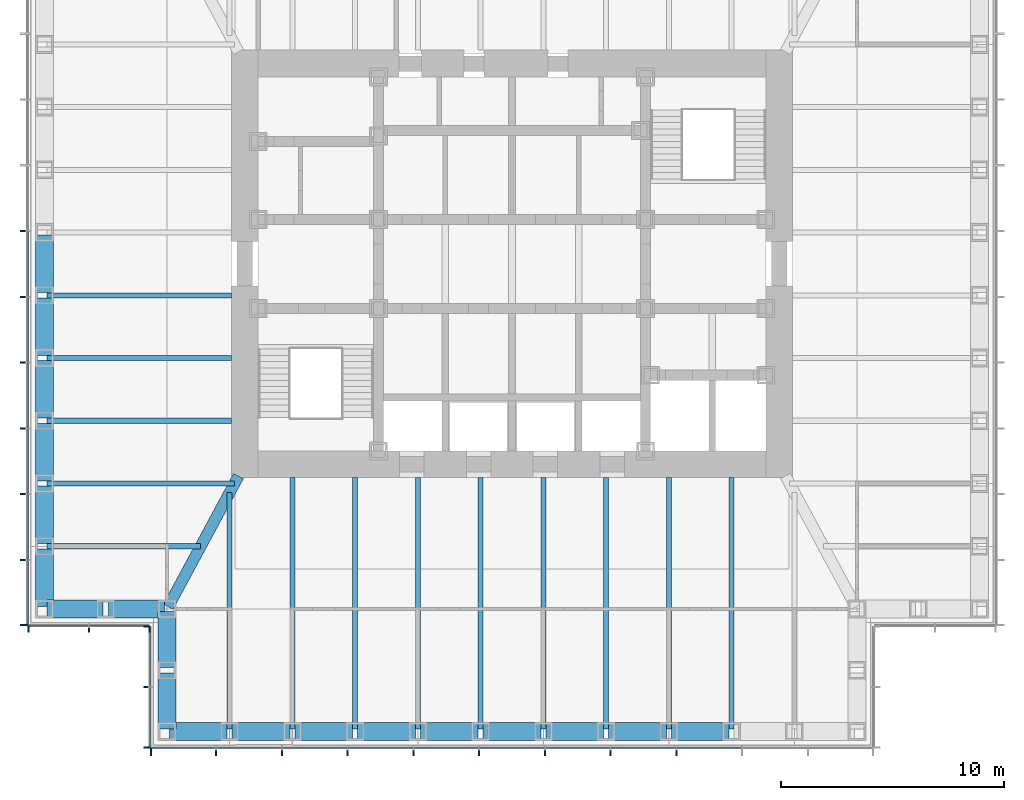
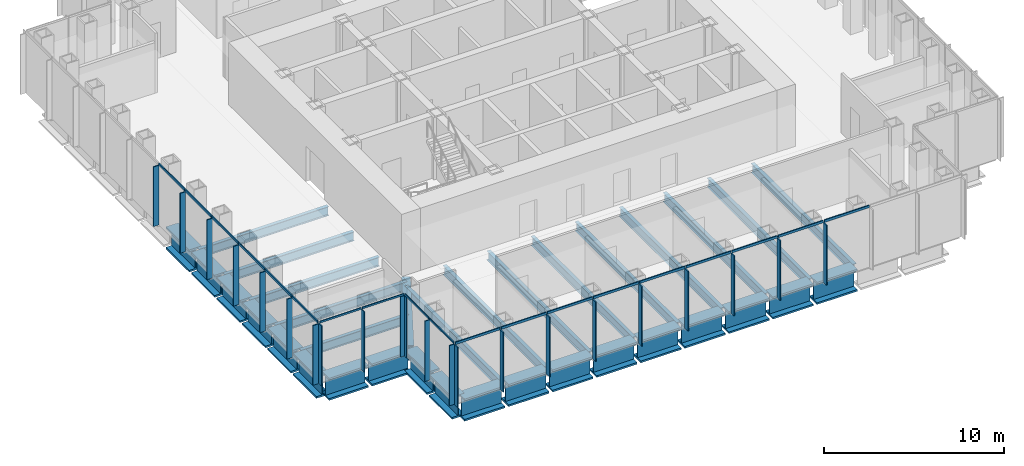
# One storey, part 2 of 16: 41 members, 34 beams, 4 elements without a shape of their own.
"""IFC4 building model written with IfcOpenShell, lengths in metres."""

from ifc_helpers import new_model, si_unit, direction, frame, origin, origin_2d, place, context, subcontext, project, spatial, rectangle, i_section, extrude, material, material_profile, profile_set, type_object, element, aggregate, save


model = new_model("IFC4")

# Units and contexts
model_context = context("Model", 3, precision=1e-05, world=origin(), true_north=direction((0.0, 1.0)))
body_context = subcontext(model_context, "Body", "Model", "MODEL_VIEW")
ifc_project = project(units=[si_unit("LENGTHUNIT", "METRE"), si_unit("AREAUNIT", "SQUARE_METRE"), si_unit("VOLUMEUNIT", "CUBIC_METRE"), si_unit("PLANEANGLEUNIT", "RADIAN"), si_unit("MASSUNIT", "GRAM", prefix="KILO")], contexts=[model_context])

# Site, building, storey
site_placement = place(None, origin())
site = spatial("IfcSite", under=ifc_project, at=site_placement, CompositionType="ELEMENT")
building_placement = place(site_placement, origin())
building = spatial("IfcBuilding", under=site, at=building_placement, Name="Daluyong Arena Tower", CompositionType="ELEMENT")
storey_placement = place(building_placement, frame((0.0, 0.0, 219.10009765625)))
storey = spatial("IfcBuildingStorey", under=building, at=storey_placement, Name="L49", CompositionType="ELEMENT", Elevation=219.10009765625)

# Curtain wall, members
ifc_material_1 = material(Name="Bronze anodised aluminium and glass", Category="aluminium")
curtain_wall_type_1 = type_object("IfcCurtainWallType", Name="Curtain wall CW3", PredefinedType="USERDEFINED", material=ifc_material_1)
curtain_wall_1_placement = place(storey_placement, origin())
curtain_wall_1 = element("IfcCurtainWall", 1, at=curtain_wall_1_placement, inside=storey, type_object=curtain_wall_type_1, Name="curtain wall L49 S", ObjectType="UNITISED CURTAIN WALL", PredefinedType="USERDEFINED")
ifc_material_2 = material(Name="Bronze anodised aluminium fin", Category="aluminium")
ifc_material_profile_1 = material_profile(ifc_material_2, rectangle(XDim=0.35009765625, YDim=0.070068359375, at=origin_2d()))
ifc_profile_set_1 = profile_set([ifc_material_profile_1], Name="Bronze anodised aluminium fin")
member_type_1 = type_object("IfcMemberType", Name="CW3 bronze fin 350x70", PredefinedType="MULLION", material=ifc_profile_set_1)
member_1_placement = place(storey_placement, frame((39.784912109375, 58.074951171875, 0.0), z_axis=(0.0, 0.0, 1.0), x_axis=(0.0, 1.0, 0.0)))
member_1 = element("IfcMember", 2, at=member_1_placement, type_object=member_type_1, Name="curtain wall L49 S fin 1", PredefinedType="MULLION", context=body_context, shape_type="SweptSolid", body=[
    extrude(rectangle(XDim=0.35009765625, YDim=0.070068359375, at=origin_2d()), origin(), (0.0, 0.0, 1.0), 4.039794921875),
])
member_2_placement = place(storey_placement, frame((42.70458984375, 58.074951171875, 0.0), z_axis=(0.0, 0.0, 1.0), x_axis=(0.0, 1.0, 0.0)))
member_2 = element("IfcMember", 3, at=member_2_placement, type_object=member_type_1, Name="curtain wall L49 S fin 2", PredefinedType="MULLION", context=body_context, shape_type="SweptSolid", body=[
    extrude(rectangle(XDim=0.35009765625, YDim=0.070068359375, at=origin_2d()), origin(), (0.0, 0.0, 1.0), 4.039794921875),
])
member_3_placement = place(storey_placement, frame((45.6591796875, 58.074951171875, 0.0), z_axis=(0.0, 0.0, 1.0), x_axis=(0.0, 1.0, 0.0)))
member_3 = element("IfcMember", 4, at=member_3_placement, type_object=member_type_1, Name="curtain wall L49 S fin 3", PredefinedType="MULLION", context=body_context, shape_type="SweptSolid", body=[
    extrude(rectangle(XDim=0.35009765625, YDim=0.070068359375, at=origin_2d()), origin(), (0.0, 0.0, 1.0), 4.039794921875),
])
member_4_placement = place(storey_placement, frame((48.613525390625, 58.074951171875, 0.0), z_axis=(0.0, 0.0, 1.0), x_axis=(0.0, 1.0, 0.0)))
member_4 = element("IfcMember", 5, at=member_4_placement, type_object=member_type_1, Name="curtain wall L49 S fin 4", PredefinedType="MULLION", context=body_context, shape_type="SweptSolid", body=[
    extrude(rectangle(XDim=0.35009765625, YDim=0.070068359375, at=origin_2d()), origin(), (0.0, 0.0, 1.0), 4.039794921875),
])
member_5_placement = place(storey_placement, frame((51.568115234375, 58.074951171875, 0.0), z_axis=(0.0, 0.0, 1.0), x_axis=(0.0, 1.0, 0.0)))
member_5 = element("IfcMember", 6, at=member_5_placement, type_object=member_type_1, Name="curtain wall L49 S fin 5", PredefinedType="MULLION", context=body_context, shape_type="SweptSolid", body=[
    extrude(rectangle(XDim=0.35009765625, YDim=0.070068359375, at=origin_2d()), origin(), (0.0, 0.0, 1.0), 4.039794921875),
])
member_6_placement = place(storey_placement, frame((54.522705078125, 58.074951171875, 0.0), z_axis=(0.0, 0.0, 1.0), x_axis=(0.0, 1.0, 0.0)))
member_6 = element("IfcMember", 7, at=member_6_placement, type_object=member_type_1, Name="curtain wall L49 S fin 6", PredefinedType="MULLION", context=body_context, shape_type="SweptSolid", body=[
    extrude(rectangle(XDim=0.35009765625, YDim=0.070068359375, at=origin_2d()), origin(), (0.0, 0.0, 1.0), 4.039794921875),
])
member_7_placement = place(storey_placement, frame((57.477294921875, 58.074951171875, 0.0), z_axis=(0.0, 0.0, 1.0), x_axis=(0.0, 1.0, 0.0)))
member_7 = element("IfcMember", 8, at=member_7_placement, type_object=member_type_1, Name="curtain wall L49 S fin 7", PredefinedType="MULLION", context=body_context, shape_type="SweptSolid", body=[
    extrude(rectangle(XDim=0.35009765625, YDim=0.070068359375, at=origin_2d()), origin(), (0.0, 0.0, 1.0), 4.039794921875),
])
member_8_placement = place(storey_placement, frame((60.431884765625, 58.074951171875, 0.0), z_axis=(0.0, 0.0, 1.0), x_axis=(0.0, 1.0, 0.0)))
member_8 = element("IfcMember", 9, at=member_8_placement, type_object=member_type_1, Name="curtain wall L49 S fin 8", PredefinedType="MULLION", context=body_context, shape_type="SweptSolid", body=[
    extrude(rectangle(XDim=0.35009765625, YDim=0.070068359375, at=origin_2d()), origin(), (0.0, 0.0, 1.0), 4.039794921875),
])
member_9_placement = place(storey_placement, frame((63.386474609375, 58.074951171875, 0.0), z_axis=(0.0, 0.0, 1.0), x_axis=(0.0, 1.0, 0.0)))
member_9 = element("IfcMember", 10, at=member_9_placement, type_object=member_type_1, Name="curtain wall L49 S fin 9", PredefinedType="MULLION", context=body_context, shape_type="SweptSolid", body=[
    extrude(rectangle(XDim=0.35009765625, YDim=0.070068359375, at=origin_2d()), origin(), (0.0, 0.0, 1.0), 4.039794921875),
])

curtain_wall_2_placement = place(storey_placement, origin())
curtain_wall_2 = element("IfcCurtainWall", 11, at=curtain_wall_2_placement, inside=storey, type_object=curtain_wall_type_1, Name="curtain wall L49 W", ObjectType="UNITISED CURTAIN WALL", PredefinedType="USERDEFINED")
member_10_placement = place(storey_placement, frame((34.074951171875, 81.477294921875, 0.0), z_axis=(0.0, 0.0, 1.0), x_axis=(1.0, 0.0, 0.0)))
member_10 = element("IfcMember", 12, at=member_10_placement, type_object=member_type_1, Name="curtain wall L49 W fin 6", PredefinedType="MULLION", context=body_context, shape_type="SweptSolid", body=[
    extrude(rectangle(XDim=0.35009765625, YDim=0.070068359375, at=origin_2d()), origin(), (0.0, 0.0, 1.0), 4.039794921875),
])
member_11_placement = place(storey_placement, frame((34.074951171875, 78.522705078125, 0.0), z_axis=(0.0, 0.0, 1.0), x_axis=(1.0, 0.0, 0.0)))
member_11 = element("IfcMember", 13, at=member_11_placement, type_object=member_type_1, Name="curtain wall L49 W fin 7", PredefinedType="MULLION", context=body_context, shape_type="SweptSolid", body=[
    extrude(rectangle(XDim=0.35009765625, YDim=0.070068359375, at=origin_2d()), origin(), (0.0, 0.0, 1.0), 4.039794921875),
])
member_12_placement = place(storey_placement, frame((34.074951171875, 75.568115234375, 0.0), z_axis=(0.0, 0.0, 1.0), x_axis=(1.0, 0.0, 0.0)))
member_12 = element("IfcMember", 14, at=member_12_placement, type_object=member_type_1, Name="curtain wall L49 W fin 8", PredefinedType="MULLION", context=body_context, shape_type="SweptSolid", body=[
    extrude(rectangle(XDim=0.35009765625, YDim=0.070068359375, at=origin_2d()), origin(), (0.0, 0.0, 1.0), 4.039794921875),
])
member_13_placement = place(storey_placement, frame((34.074951171875, 72.613525390625, 0.0), z_axis=(0.0, 0.0, 1.0), x_axis=(1.0, 0.0, 0.0)))
member_13 = element("IfcMember", 15, at=member_13_placement, type_object=member_type_1, Name="curtain wall L49 W fin 9", PredefinedType="MULLION", context=body_context, shape_type="SweptSolid", body=[
    extrude(rectangle(XDim=0.35009765625, YDim=0.070068359375, at=origin_2d()), origin(), (0.0, 0.0, 1.0), 4.039794921875),
])
member_14_placement = place(storey_placement, frame((34.074951171875, 69.6591796875, 0.0), z_axis=(0.0, 0.0, 1.0), x_axis=(1.0, 0.0, 0.0)))
member_14 = element("IfcMember", 16, at=member_14_placement, type_object=member_type_1, Name="curtain wall L49 W fin 10", PredefinedType="MULLION", context=body_context, shape_type="SweptSolid", body=[
    extrude(rectangle(XDim=0.35009765625, YDim=0.070068359375, at=origin_2d()), origin(), (0.0, 0.0, 1.0), 4.039794921875),
])
member_15_placement = place(storey_placement, frame((34.074951171875, 66.70458984375, 0.0), z_axis=(0.0, 0.0, 1.0), x_axis=(1.0, 0.0, 0.0)))
member_15 = element("IfcMember", 17, at=member_15_placement, type_object=member_type_1, Name="curtain wall L49 W fin 11", PredefinedType="MULLION", context=body_context, shape_type="SweptSolid", body=[
    extrude(rectangle(XDim=0.35009765625, YDim=0.070068359375, at=origin_2d()), origin(), (0.0, 0.0, 1.0), 4.039794921875),
])
member_16_placement = place(storey_placement, frame((34.074951171875, 63.784912109375, 0.0), z_axis=(0.0, 0.0, 1.0), x_axis=(1.0, 0.0, 0.0)))
member_16 = element("IfcMember", 18, at=member_16_placement, type_object=member_type_1, Name="curtain wall L49 W fin 12", PredefinedType="MULLION", context=body_context, shape_type="SweptSolid", body=[
    extrude(rectangle(XDim=0.35009765625, YDim=0.070068359375, at=origin_2d()), origin(), (0.0, 0.0, 1.0), 4.039794921875),
])

# Member
ifc_material_3 = material(Name="Bronze anodised aluminium", Category="aluminium")
ifc_material_profile_2 = material_profile(ifc_material_3, rectangle(XDim=0.070068359375, YDim=0.159912109375, at=origin_2d()))
ifc_profile_set_2 = profile_set([ifc_material_profile_2], Name="Bronze anodised aluminium")
member_type_2 = type_object("IfcMemberType", Name="CW3 stack transom 160x70", PredefinedType="USERDEFINED", material=ifc_profile_set_2)
member_17_placement = place(storey_placement, frame((39.820068359375, 58.25, 4.119873046875), z_axis=(1.0, 0.0, 0.0), x_axis=(0.0, 1.0, 0.0)))
member_17 = element("IfcMember", 19, at=member_17_placement, type_object=member_type_2, Name="curtain wall L49 S transom 1", ObjectType="TRANSOM", PredefinedType="USERDEFINED", context=body_context, shape_type="SweptSolid", body=[
    extrude(rectangle(XDim=0.070068359375, YDim=0.159912109375, at=origin_2d()), origin(), (0.0, 0.0, 1.0), 2.849365234375),
])

member_18_placement = place(storey_placement, frame((42.739501953125, 58.25, 4.119873046875), z_axis=(1.0, 0.0, 0.0), x_axis=(0.0, 1.0, 0.0)))
member_18 = element("IfcMember", 20, at=member_18_placement, type_object=member_type_2, Name="curtain wall L49 S transom 2", ObjectType="TRANSOM", PredefinedType="USERDEFINED", context=body_context, shape_type="SweptSolid", body=[
    extrude(rectangle(XDim=0.070068359375, YDim=0.159912109375, at=origin_2d()), origin(), (0.0, 0.0, 1.0), 2.884521484375),
])

member_19_placement = place(storey_placement, frame((45.694091796875, 58.25, 4.119873046875), z_axis=(1.0, 0.0, 0.0), x_axis=(0.0, 1.0, 0.0)))
member_19 = element("IfcMember", 21, at=member_19_placement, type_object=member_type_2, Name="curtain wall L49 S transom 3", ObjectType="TRANSOM", PredefinedType="USERDEFINED", context=body_context, shape_type="SweptSolid", body=[
    extrude(rectangle(XDim=0.070068359375, YDim=0.159912109375, at=origin_2d()), origin(), (0.0, 0.0, 1.0), 2.884521484375),
])

member_20_placement = place(storey_placement, frame((48.648681640625, 58.25, 4.119873046875), z_axis=(1.0, 0.0, 0.0), x_axis=(0.0, 1.0, 0.0)))
member_20 = element("IfcMember", 22, at=member_20_placement, type_object=member_type_2, Name="curtain wall L49 S transom 4", ObjectType="TRANSOM", PredefinedType="USERDEFINED", context=body_context, shape_type="SweptSolid", body=[
    extrude(rectangle(XDim=0.070068359375, YDim=0.159912109375, at=origin_2d()), origin(), (0.0, 0.0, 1.0), 2.884521484375),
])

member_21_placement = place(storey_placement, frame((51.603271484375, 58.25, 4.119873046875), z_axis=(1.0, 0.0, 0.0), x_axis=(0.0, 1.0, 0.0)))
member_21 = element("IfcMember", 23, at=member_21_placement, type_object=member_type_2, Name="curtain wall L49 S transom 5", ObjectType="TRANSOM", PredefinedType="USERDEFINED", context=body_context, shape_type="SweptSolid", body=[
    extrude(rectangle(XDim=0.070068359375, YDim=0.159912109375, at=origin_2d()), origin(), (0.0, 0.0, 1.0), 2.884521484375),
])

member_22_placement = place(storey_placement, frame((54.5576171875, 58.25, 4.119873046875), z_axis=(1.0, 0.0, 0.0), x_axis=(0.0, 1.0, 0.0)))
member_22 = element("IfcMember", 24, at=member_22_placement, type_object=member_type_2, Name="curtain wall L49 S transom 6", ObjectType="TRANSOM", PredefinedType="USERDEFINED", context=body_context, shape_type="SweptSolid", body=[
    extrude(rectangle(XDim=0.070068359375, YDim=0.159912109375, at=origin_2d()), origin(), (0.0, 0.0, 1.0), 2.884765625),
])

member_23_placement = place(storey_placement, frame((57.51220703125, 58.25, 4.119873046875), z_axis=(1.0, 0.0, 0.0), x_axis=(0.0, 1.0, 0.0)))
member_23 = element("IfcMember", 25, at=member_23_placement, type_object=member_type_2, Name="curtain wall L49 S transom 7", ObjectType="TRANSOM", PredefinedType="USERDEFINED", context=body_context, shape_type="SweptSolid", body=[
    extrude(rectangle(XDim=0.070068359375, YDim=0.159912109375, at=origin_2d()), origin(), (0.0, 0.0, 1.0), 2.884521484375),
])

member_24_placement = place(storey_placement, frame((60.466796875, 58.25, 4.119873046875), z_axis=(1.0, 0.0, 0.0), x_axis=(0.0, 1.0, 0.0)))
member_24 = element("IfcMember", 26, at=member_24_placement, type_object=member_type_2, Name="curtain wall L49 S transom 8", ObjectType="TRANSOM", PredefinedType="USERDEFINED", context=body_context, shape_type="SweptSolid", body=[
    extrude(rectangle(XDim=0.070068359375, YDim=0.159912109375, at=origin_2d()), origin(), (0.0, 0.0, 1.0), 2.884521484375),
])

member_25_placement = place(storey_placement, frame((63.42138671875, 58.25, 4.119873046875), z_axis=(1.0, 0.0, 0.0), x_axis=(0.0, 1.0, 0.0)))
member_25 = element("IfcMember", 27, at=member_25_placement, type_object=member_type_2, Name="curtain wall L49 S transom 9", ObjectType="TRANSOM", PredefinedType="USERDEFINED", context=body_context, shape_type="SweptSolid", body=[
    extrude(rectangle(XDim=0.070068359375, YDim=0.159912109375, at=origin_2d()), origin(), (0.0, 0.0, 1.0), 2.884521484375),
])

aggregate(curtain_wall_1, [member_1, member_2, member_3, member_4, member_5, member_6, member_7, member_8, member_9, member_17, member_18, member_19, member_20, member_21, member_22, member_23, member_24, member_25])

member_26_placement = place(storey_placement, frame((34.25, 81.4423828125, 4.119873046875), z_axis=(0.0, -1.0, 0.0), x_axis=(1.0, 0.0, 0.0)))
member_26 = element("IfcMember", 28, at=member_26_placement, type_object=member_type_2, Name="curtain wall L49 W transom 6", ObjectType="TRANSOM", PredefinedType="USERDEFINED", context=body_context, shape_type="SweptSolid", body=[
    extrude(rectangle(XDim=0.070068359375, YDim=0.159912109375, at=origin_2d()), origin(), (0.0, 0.0, 1.0), 2.884765625),
])

member_27_placement = place(storey_placement, frame((34.25, 78.48779296875, 4.119873046875), z_axis=(0.0, -1.0, 0.0), x_axis=(1.0, 0.0, 0.0)))
member_27 = element("IfcMember", 29, at=member_27_placement, type_object=member_type_2, Name="curtain wall L49 W transom 7", ObjectType="TRANSOM", PredefinedType="USERDEFINED", context=body_context, shape_type="SweptSolid", body=[
    extrude(rectangle(XDim=0.070068359375, YDim=0.159912109375, at=origin_2d()), origin(), (0.0, 0.0, 1.0), 2.884521484375),
])

member_28_placement = place(storey_placement, frame((34.25, 75.533203125, 4.119873046875), z_axis=(0.0, -1.0, 0.0), x_axis=(1.0, 0.0, 0.0)))
member_28 = element("IfcMember", 30, at=member_28_placement, type_object=member_type_2, Name="curtain wall L49 W transom 8", ObjectType="TRANSOM", PredefinedType="USERDEFINED", context=body_context, shape_type="SweptSolid", body=[
    extrude(rectangle(XDim=0.070068359375, YDim=0.159912109375, at=origin_2d()), origin(), (0.0, 0.0, 1.0), 2.884521484375),
])

member_29_placement = place(storey_placement, frame((34.25, 72.57861328125, 4.119873046875), z_axis=(0.0, -1.0, 0.0), x_axis=(1.0, 0.0, 0.0)))
member_29 = element("IfcMember", 31, at=member_29_placement, type_object=member_type_2, Name="curtain wall L49 W transom 9", ObjectType="TRANSOM", PredefinedType="USERDEFINED", context=body_context, shape_type="SweptSolid", body=[
    extrude(rectangle(XDim=0.070068359375, YDim=0.159912109375, at=origin_2d()), origin(), (0.0, 0.0, 1.0), 2.884521484375),
])

member_30_placement = place(storey_placement, frame((34.25, 69.6240234375, 4.119873046875), z_axis=(0.0, -1.0, 0.0), x_axis=(1.0, 0.0, 0.0)))
member_30 = element("IfcMember", 32, at=member_30_placement, type_object=member_type_2, Name="curtain wall L49 W transom 10", ObjectType="TRANSOM", PredefinedType="USERDEFINED", context=body_context, shape_type="SweptSolid", body=[
    extrude(rectangle(XDim=0.070068359375, YDim=0.159912109375, at=origin_2d()), origin(), (0.0, 0.0, 1.0), 2.884521484375),
])

member_31_placement = place(storey_placement, frame((34.25, 66.66943359375, 4.119873046875), z_axis=(0.0, -1.0, 0.0), x_axis=(1.0, 0.0, 0.0)))
member_31 = element("IfcMember", 33, at=member_31_placement, type_object=member_type_2, Name="curtain wall L49 W transom 11", ObjectType="TRANSOM", PredefinedType="USERDEFINED", context=body_context, shape_type="SweptSolid", body=[
    extrude(rectangle(XDim=0.070068359375, YDim=0.159912109375, at=origin_2d()), origin(), (0.0, 0.0, 1.0), 2.849365234375),
])

aggregate(curtain_wall_2, [member_10, member_11, member_12, member_13, member_14, member_15, member_16, member_26, member_27, member_28, member_29, member_30, member_31])

# Curtain wall, members
ifc_material_4 = material(Name="Bronze anodised aluminium and glass", Category="aluminium")
curtain_wall_type_2 = type_object("IfcCurtainWallType", Name="Curtain wall CW7", PredefinedType="USERDEFINED", material=ifc_material_4)
curtain_wall_3_placement = place(storey_placement, origin())
curtain_wall_3 = element("IfcCurtainWall", 34, at=curtain_wall_3_placement, inside=storey, type_object=curtain_wall_type_2, Name="curtain wall L49 SW-S", ObjectType="UNITISED CURTAIN WALL", PredefinedType="USERDEFINED")
ifc_material_5 = material(Name="Bronze anodised aluminium fin", Category="aluminium")
ifc_material_profile_3 = material_profile(ifc_material_5, rectangle(XDim=0.300048828125, YDim=0.06005859375, at=origin_2d()))
ifc_profile_set_3 = profile_set([ifc_material_profile_3], Name="Bronze anodised aluminium fin")
member_type_3 = type_object("IfcMemberType", Name="CW7 bronze fin 300x60", PredefinedType="MULLION", material=ifc_profile_set_3)
member_32_placement = place(storey_placement, frame((34.280029296875, 63.60009765625, 0.0), z_axis=(0.0, 0.0, 1.0), x_axis=(0.0, 1.0, 0.0)))
member_32 = element("IfcMember", 35, at=member_32_placement, type_object=member_type_3, Name="curtain wall L49 SW-S fin 1", PredefinedType="MULLION", context=body_context, shape_type="SweptSolid", body=[
    extrude(rectangle(XDim=0.300048828125, YDim=0.06005859375, at=origin_2d()), origin(), (0.0, 0.0, 1.0), 4.079833984375),
])
member_33_placement = place(storey_placement, frame((37.0, 63.60009765625, 0.0), z_axis=(0.0, 0.0, 1.0), x_axis=(0.0, 1.0, 0.0)))
member_33 = element("IfcMember", 36, at=member_33_placement, type_object=member_type_3, Name="curtain wall L49 SW-S fin 2", PredefinedType="MULLION", context=body_context, shape_type="SweptSolid", body=[
    extrude(rectangle(XDim=0.300048828125, YDim=0.06005859375, at=origin_2d()), origin(), (0.0, 0.0, 1.0), 4.079833984375),
])
member_34_placement = place(storey_placement, frame((39.719970703125, 63.60009765625, 0.0), z_axis=(0.0, 0.0, 1.0), x_axis=(0.0, 1.0, 0.0)))
member_34 = element("IfcMember", 37, at=member_34_placement, type_object=member_type_3, Name="curtain wall L49 SW-S fin 3", PredefinedType="MULLION", context=body_context, shape_type="SweptSolid", body=[
    extrude(rectangle(XDim=0.300048828125, YDim=0.06005859375, at=origin_2d()), origin(), (0.0, 0.0, 1.0), 4.079833984375),
])

curtain_wall_4_placement = place(storey_placement, origin())
curtain_wall_4 = element("IfcCurtainWall", 38, at=curtain_wall_4_placement, inside=storey, type_object=curtain_wall_type_2, Name="curtain wall L49 SW-W", ObjectType="UNITISED CURTAIN WALL", PredefinedType="USERDEFINED")
member_35_placement = place(storey_placement, frame((39.60009765625, 63.719970703125, 0.0), z_axis=(0.0, 0.0, 1.0), x_axis=(1.0, 0.0, 0.0)))
member_35 = element("IfcMember", 39, at=member_35_placement, type_object=member_type_3, Name="curtain wall L49 SW-W fin 1", PredefinedType="MULLION", context=body_context, shape_type="SweptSolid", body=[
    extrude(rectangle(XDim=0.300048828125, YDim=0.06005859375, at=origin_2d()), origin(), (0.0, 0.0, 1.0), 4.079833984375),
])
member_36_placement = place(storey_placement, frame((39.60009765625, 61.0, 0.0), z_axis=(0.0, 0.0, 1.0), x_axis=(1.0, 0.0, 0.0)))
member_36 = element("IfcMember", 40, at=member_36_placement, type_object=member_type_3, Name="curtain wall L49 SW-W fin 2", PredefinedType="MULLION", context=body_context, shape_type="SweptSolid", body=[
    extrude(rectangle(XDim=0.300048828125, YDim=0.06005859375, at=origin_2d()), origin(), (0.0, 0.0, 1.0), 4.079833984375),
])
member_37_placement = place(storey_placement, frame((39.60009765625, 58.280029296875, 0.0), z_axis=(0.0, 0.0, 1.0), x_axis=(1.0, 0.0, 0.0)))
member_37 = element("IfcMember", 41, at=member_37_placement, type_object=member_type_3, Name="curtain wall L49 SW-W fin 3", PredefinedType="MULLION", context=body_context, shape_type="SweptSolid", body=[
    extrude(rectangle(XDim=0.300048828125, YDim=0.06005859375, at=origin_2d()), origin(), (0.0, 0.0, 1.0), 4.079833984375),
])

# Member
ifc_material_6 = material(Name="Bronze anodised aluminium", Category="aluminium")
ifc_material_profile_4 = material_profile(ifc_material_6, rectangle(XDim=0.06005859375, YDim=0.1201171875, at=origin_2d()))
ifc_profile_set_4 = profile_set([ifc_material_profile_4], Name="Bronze anodised aluminium")
member_type_4 = type_object("IfcMemberType", Name="CW7 stack transom 120x60", PredefinedType="USERDEFINED", material=ifc_profile_set_4)
member_38_placement = place(storey_placement, frame((34.31005859375, 63.75, 4.139892578125), z_axis=(1.0, 0.0, 0.0), x_axis=(0.0, 1.0, 0.0)))
member_38 = element("IfcMember", 42, at=member_38_placement, type_object=member_type_4, Name="curtain wall L49 SW-S transom 1", ObjectType="TRANSOM", PredefinedType="USERDEFINED", context=body_context, shape_type="SweptSolid", body=[
    extrude(rectangle(XDim=0.06005859375, YDim=0.1201171875, at=origin_2d()), origin(), (0.0, 0.0, 1.0), 2.659912109375),
])

member_39_placement = place(storey_placement, frame((37.030029296875, 63.75, 4.139892578125), z_axis=(1.0, 0.0, 0.0), x_axis=(0.0, 1.0, 0.0)))
member_39 = element("IfcMember", 43, at=member_39_placement, type_object=member_type_4, Name="curtain wall L49 SW-S transom 2", ObjectType="TRANSOM", PredefinedType="USERDEFINED", context=body_context, shape_type="SweptSolid", body=[
    extrude(rectangle(XDim=0.06005859375, YDim=0.1201171875, at=origin_2d()), origin(), (0.0, 0.0, 1.0), 2.659912109375),
])

aggregate(curtain_wall_3, [member_32, member_33, member_34, member_38, member_39])

member_40_placement = place(storey_placement, frame((39.75, 63.68994140625, 4.139892578125), z_axis=(0.0, -1.0, 0.0), x_axis=(1.0, 0.0, 0.0)))
member_40 = element("IfcMember", 44, at=member_40_placement, type_object=member_type_4, Name="curtain wall L49 SW-W transom 1", ObjectType="TRANSOM", PredefinedType="USERDEFINED", context=body_context, shape_type="SweptSolid", body=[
    extrude(rectangle(XDim=0.06005859375, YDim=0.1201171875, at=origin_2d()), origin(), (0.0, 0.0, 1.0), 2.659912109375),
])

member_41_placement = place(storey_placement, frame((39.75, 60.969970703125, 4.139892578125), z_axis=(0.0, -1.0, 0.0), x_axis=(1.0, 0.0, 0.0)))
member_41 = element("IfcMember", 45, at=member_41_placement, type_object=member_type_4, Name="curtain wall L49 SW-W transom 2", ObjectType="TRANSOM", PredefinedType="USERDEFINED", context=body_context, shape_type="SweptSolid", body=[
    extrude(rectangle(XDim=0.06005859375, YDim=0.1201171875, at=origin_2d()), origin(), (0.0, 0.0, 1.0), 2.659912109375),
])

aggregate(curtain_wall_4, [member_35, member_36, member_37, member_40, member_41])

# Beams
ifc_material_7 = material(Name="Steel ASTM A572 Grade 50", Category="steel")
ifc_material_profile_5 = material_profile(ifc_material_7, i_section(OverallWidth=0.5, OverallDepth=1.0, WebThickness=0.03, FlangeThickness=0.06, at=origin_2d()))
ifc_profile_set_5 = profile_set([ifc_material_profile_5], Name="Steel ASTM A572 Grade 50")
beam_type_1 = type_object("IfcBeamType", Name="Corner girder TB1000X500", PredefinedType="BEAM", material=ifc_profile_set_5)
beam_1_placement = place(storey_placement, frame((40.554443359375, 64.601318359375, -0.66015625), z_axis=(0.474119475266, 0.880460517669, 0.0), x_axis=(-0.880460517669, 0.474119475266, 0.0)))
element("IfcBeam", 46, at=beam_1_placement, inside=storey, type_object=beam_type_1, Name="corner girder DG2", PredefinedType="BEAM", context=body_context, shape_type="SweptSolid", body=[
    extrude(i_section(OverallWidth=0.5, OverallDepth=1.0, WebThickness=0.03, FlangeThickness=0.06, at=origin_2d()), origin(), (0.0, 0.0, 1.0), 6.66748046875),
])
ifc_material_8 = material(Name="Steel ASTM A992 Grade 50", Category="steel")
ifc_material_profile_6 = material_profile(ifc_material_8, i_section(OverallWidth=0.22900390625, OverallDepth=0.612060546875, WebThickness=0.011962890625, FlangeThickness=0.01953125, at=origin_2d()))
ifc_profile_set_6 = profile_set([ifc_material_profile_6], Name="Steel ASTM A992 Grade 50")
beam_type_2 = type_object("IfcBeamType", Name="Floor beam W24X84", PredefinedType="BEAM", material=ifc_profile_set_6)
beam_2_placement = place(storey_placement, frame((43.318115234375, 59.114990234375, -0.466064453125), z_axis=(0.0, 1.0, 0.0), x_axis=(-1.0, 0.0, 0.0)))
element("IfcBeam", 47, at=beam_2_placement, inside=storey, type_object=beam_type_2, Name="floor beam FB3", PredefinedType="BEAM", context=body_context, shape_type="SweptSolid", body=[
    extrude(i_section(OverallWidth=0.22900390625, OverallDepth=0.612060546875, WebThickness=0.011962890625, FlangeThickness=0.01953125, at=origin_2d()), origin(), (0.0, 0.0, 1.0), 10.618896484375),
])
for number, where, z_axis, x_axis, name in (
    (48, (46.136474609375, 59.114990234375, -0.466064453125), (0.0, 1.0, 0.0), (-1.0, 0.0, 0.0), "floor beam FB3"),
    (49, (48.95458984375, 59.114990234375, -0.466064453125), (0.0, 1.0, 0.0), (-1.0, 0.0, 0.0), "floor beam FB3"),
    (50, (51.772705078125, 59.114990234375, -0.466064453125), (0.0, 1.0, 0.0), (-1.0, 0.0, 0.0), "floor beam FB3"),
    (51, (54.5908203125, 59.114990234375, -0.466064453125), (0.0, 1.0, 0.0), (-1.0, 0.0, 0.0), "floor beam FB3"),
    (52, (57.4091796875, 59.114990234375, -0.466064453125), (0.0, 1.0, 0.0), (-1.0, 0.0, 0.0), "floor beam FB3"),
    (53, (60.227294921875, 59.114990234375, -0.466064453125), (0.0, 1.0, 0.0), (-1.0, 0.0, 0.0), "floor beam FB3"),
    (54, (63.04541015625, 59.114990234375, -0.466064453125), (0.0, 1.0, 0.0), (-1.0, 0.0, 0.0), "floor beam FB3"),
    (55, (65.863525390625, 59.114990234375, -0.466064453125), (0.0, 1.0, 0.0), (-1.0, 0.0, 0.0), "floor beam FB3"),
):
    element("IfcBeam", number, at=place(storey_placement, frame(where, z_axis=z_axis, x_axis=x_axis)), inside=storey, type_object=beam_type_2, Name=name, PredefinedType="BEAM", context=body_context, shape_type="SweptSolid", body=[
        extrude(i_section(OverallWidth=0.22900390625, OverallDepth=0.612060546875, WebThickness=0.011962890625, FlangeThickness=0.01953125, at=origin_2d()), origin(), (0.0, 0.0, 1.0), 11.284912109375),
    ])
for number, where, z_axis, x_axis, name in (
    (56, (35.114990234375, 78.5908203125, -0.466064453125), (1.0, 0.0, 0.0), (0.0, 1.0, 0.0), "floor beam FB3"),
    (57, (35.114990234375, 75.772705078125, -0.466064453125), (1.0, 0.0, 0.0), (0.0, 1.0, 0.0), "floor beam FB3"),
    (58, (35.114990234375, 72.95458984375, -0.466064453125), (1.0, 0.0, 0.0), (0.0, 1.0, 0.0), "floor beam FB3"),
):
    element("IfcBeam", number, at=place(storey_placement, frame(where, z_axis=z_axis, x_axis=x_axis)), inside=storey, type_object=beam_type_2, Name=name, PredefinedType="BEAM", context=body_context, shape_type="SweptSolid", body=[
        extrude(i_section(OverallWidth=0.22900390625, OverallDepth=0.612060546875, WebThickness=0.011962890625, FlangeThickness=0.01953125, at=origin_2d()), origin(), (0.0, 0.0, 1.0), 8.284912109375),
    ])
beam_3_placement = place(storey_placement, frame((35.114990234375, 70.136474609375, -0.466064453125), z_axis=(1.0, 0.0, 0.0), x_axis=(0.0, 1.0, 0.0)))
element("IfcBeam", 59, at=beam_3_placement, inside=storey, type_object=beam_type_2, Name="floor beam FB3", PredefinedType="BEAM", context=body_context, shape_type="SweptSolid", body=[
    extrude(i_section(OverallWidth=0.22900390625, OverallDepth=0.612060546875, WebThickness=0.011962890625, FlangeThickness=0.01953125, at=origin_2d()), origin(), (0.0, 0.0, 1.0), 8.419921875),
])
beam_4_placement = place(storey_placement, frame((35.114990234375, 67.318115234375, -0.466064453125), z_axis=(1.0, 0.0, 0.0), x_axis=(0.0, 1.0, 0.0)))
element("IfcBeam", 60, at=beam_4_placement, inside=storey, type_object=beam_type_2, Name="floor beam FB3", PredefinedType="BEAM", context=body_context, shape_type="SweptSolid", body=[
    extrude(i_section(OverallWidth=0.22900390625, OverallDepth=0.612060546875, WebThickness=0.011962890625, FlangeThickness=0.01953125, at=origin_2d()), origin(), (0.0, 0.0, 1.0), 6.902587890625),
])
ifc_material_9 = material(Name="Steel ASTM A588 Grade 50", Category="steel")
ifc_material_profile_7 = material_profile(ifc_material_9, i_section(OverallWidth=0.800048828125, OverallDepth=1.5, WebThickness=0.05, FlangeThickness=0.12, at=origin_2d()))
ifc_profile_set_7 = profile_set([ifc_material_profile_7], Name="Steel ASTM A588 Grade 50")
beam_type_3 = type_object("IfcBeamType", Name="Spandrel Z3 PG1500X800", PredefinedType="SPANDREL", material=ifc_profile_set_7)
beam_5_placement = place(storey_placement, frame((40.614990234375, 59.0, -0.91015625), z_axis=(1.0, 0.0, 0.0), x_axis=(0.0, 1.0, 0.0)))
element("IfcBeam", 61, at=beam_5_placement, inside=storey, type_object=beam_type_3, Name="spandrel z3 SB7", PredefinedType="SPANDREL", context=body_context, shape_type="SweptSolid", body=[
    extrude(i_section(OverallWidth=0.800048828125, OverallDepth=1.5, WebThickness=0.05, FlangeThickness=0.12, at=origin_2d()), origin(), (0.0, 0.0, 1.0), 2.588134765625),
])
beam_6_placement = place(storey_placement, frame((43.43310546875, 59.0, -0.91015625), z_axis=(1.0, 0.0, 0.0), x_axis=(0.0, 1.0, 0.0)))
element("IfcBeam", 62, at=beam_6_placement, inside=storey, type_object=beam_type_3, Name="spandrel z3 SB7", PredefinedType="SPANDREL", context=body_context, shape_type="SweptSolid", body=[
    extrude(i_section(OverallWidth=0.800048828125, OverallDepth=1.5, WebThickness=0.05, FlangeThickness=0.12, at=origin_2d()), origin(), (0.0, 0.0, 1.0), 2.58837890625),
])
for number, where, z_axis, x_axis, name in (
    (63, (46.25146484375, 59.0, -0.91015625), (1.0, 0.0, 0.0), (0.0, 1.0, 0.0), "spandrel z3 SB7"),
    (64, (49.069580078125, 59.0, -0.91015625), (1.0, 0.0, 0.0), (0.0, 1.0, 0.0), "spandrel z3 SB7"),
    (65, (51.8876953125, 59.0, -0.91015625), (1.0, 0.0, 0.0), (0.0, 1.0, 0.0), "spandrel z3 SB7"),
):
    element("IfcBeam", number, at=place(storey_placement, frame(where, z_axis=z_axis, x_axis=x_axis)), inside=storey, type_object=beam_type_3, Name=name, PredefinedType="SPANDREL", context=body_context, shape_type="SweptSolid", body=[
        extrude(i_section(OverallWidth=0.800048828125, OverallDepth=1.5, WebThickness=0.05, FlangeThickness=0.12, at=origin_2d()), origin(), (0.0, 0.0, 1.0), 2.588134765625),
    ])
beam_7_placement = place(storey_placement, frame((54.705810546875, 59.0, -0.91015625), z_axis=(1.0, 0.0, 0.0), x_axis=(0.0, 1.0, 0.0)))
element("IfcBeam", 66, at=beam_7_placement, inside=storey, type_object=beam_type_3, Name="spandrel z3 SB7", PredefinedType="SPANDREL", context=body_context, shape_type="SweptSolid", body=[
    extrude(i_section(OverallWidth=0.800048828125, OverallDepth=1.5, WebThickness=0.05, FlangeThickness=0.12, at=origin_2d()), origin(), (0.0, 0.0, 1.0), 2.58837890625),
])
for number, where, z_axis, x_axis, name in (
    (67, (57.524169921875, 59.0, -0.91015625), (1.0, 0.0, 0.0), (0.0, 1.0, 0.0), "spandrel z3 SB7"),
    (68, (60.34228515625, 59.0, -0.91015625), (1.0, 0.0, 0.0), (0.0, 1.0, 0.0), "spandrel z3 SB7"),
    (69, (63.160400390625, 59.0, -0.91015625), (1.0, 0.0, 0.0), (0.0, 1.0, 0.0), "spandrel z3 SB7"),
):
    element("IfcBeam", number, at=place(storey_placement, frame(where, z_axis=z_axis, x_axis=x_axis)), inside=storey, type_object=beam_type_3, Name=name, PredefinedType="SPANDREL", context=body_context, shape_type="SweptSolid", body=[
        extrude(i_section(OverallWidth=0.800048828125, OverallDepth=1.5, WebThickness=0.05, FlangeThickness=0.12, at=origin_2d()), origin(), (0.0, 0.0, 1.0), 2.588134765625),
    ])
beam_8_placement = place(storey_placement, frame((35.0, 81.294189453125, -0.91015625), z_axis=(0.0, -1.0, 0.0), x_axis=(1.0, 0.0, 0.0)))
element("IfcBeam", 70, at=beam_8_placement, inside=storey, type_object=beam_type_3, Name="spandrel z3 SB7", PredefinedType="SPANDREL", context=body_context, shape_type="SweptSolid", body=[
    extrude(i_section(OverallWidth=0.800048828125, OverallDepth=1.5, WebThickness=0.05, FlangeThickness=0.12, at=origin_2d()), origin(), (0.0, 0.0, 1.0), 2.58837890625),
])
for number, where, z_axis, x_axis, name in (
    (71, (35.0, 78.475830078125, -0.91015625), (0.0, -1.0, 0.0), (1.0, 0.0, 0.0), "spandrel z3 SB7"),
    (72, (35.0, 75.65771484375, -0.91015625), (0.0, -1.0, 0.0), (1.0, 0.0, 0.0), "spandrel z3 SB7"),
    (73, (35.0, 72.839599609375, -0.91015625), (0.0, -1.0, 0.0), (1.0, 0.0, 0.0), "spandrel z3 SB7"),
):
    element("IfcBeam", number, at=place(storey_placement, frame(where, z_axis=z_axis, x_axis=x_axis)), inside=storey, type_object=beam_type_3, Name=name, PredefinedType="SPANDREL", context=body_context, shape_type="SweptSolid", body=[
        extrude(i_section(OverallWidth=0.800048828125, OverallDepth=1.5, WebThickness=0.05, FlangeThickness=0.12, at=origin_2d()), origin(), (0.0, 0.0, 1.0), 2.588134765625),
    ])
beam_9_placement = place(storey_placement, frame((35.0, 70.021484375, -0.91015625), z_axis=(0.0, -1.0, 0.0), x_axis=(1.0, 0.0, 0.0)))
element("IfcBeam", 74, at=beam_9_placement, inside=storey, type_object=beam_type_3, Name="spandrel z3 SB7", PredefinedType="SPANDREL", context=body_context, shape_type="SweptSolid", body=[
    extrude(i_section(OverallWidth=0.800048828125, OverallDepth=1.5, WebThickness=0.05, FlangeThickness=0.12, at=origin_2d()), origin(), (0.0, 0.0, 1.0), 2.58837890625),
])
beam_10_placement = place(storey_placement, frame((35.0, 67.203125, -0.91015625), z_axis=(0.0, -1.0, 0.0), x_axis=(1.0, 0.0, 0.0)))
element("IfcBeam", 75, at=beam_10_placement, inside=storey, type_object=beam_type_3, Name="spandrel z3 SB7", PredefinedType="SPANDREL", context=body_context, shape_type="SweptSolid", body=[
    extrude(i_section(OverallWidth=0.800048828125, OverallDepth=1.5, WebThickness=0.05, FlangeThickness=0.12, at=origin_2d()), origin(), (0.0, 0.0, 1.0), 2.588134765625),
])
for number, where, z_axis, x_axis, name in (
    (76, (35.114990234375, 64.5, -0.91015625), (1.0, 0.0, 0.0), (0.0, 1.0, 0.0), "spandrel z3 SB7"),
    (77, (37.864990234375, 64.5, -0.91015625), (1.0, 0.0, 0.0), (0.0, 1.0, 0.0), "spandrel z3 SB7"),
    (78, (40.5, 64.385009765625, -0.91015625), (0.0, -1.0, 0.0), (1.0, 0.0, 0.0), "spandrel z3 SB7"),
    (79, (40.5, 61.635009765625, -0.91015625), (0.0, -1.0, 0.0), (1.0, 0.0, 0.0), "spandrel z3 SB7"),
):
    element("IfcBeam", number, at=place(storey_placement, frame(where, z_axis=z_axis, x_axis=x_axis)), inside=storey, type_object=beam_type_3, Name=name, PredefinedType="SPANDREL", context=body_context, shape_type="SweptSolid", body=[
        extrude(i_section(OverallWidth=0.800048828125, OverallDepth=1.5, WebThickness=0.05, FlangeThickness=0.12, at=origin_2d()), origin(), (0.0, 0.0, 1.0), 2.52001953125),
    ])

save(model, "model.ifc")
